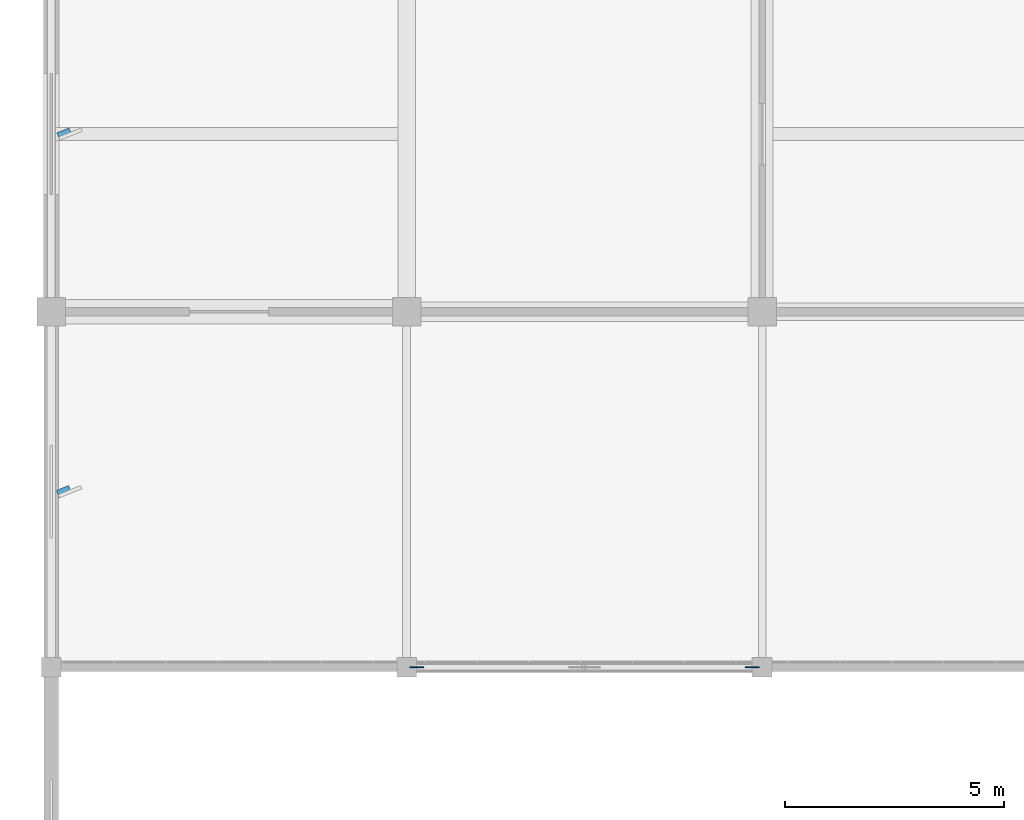
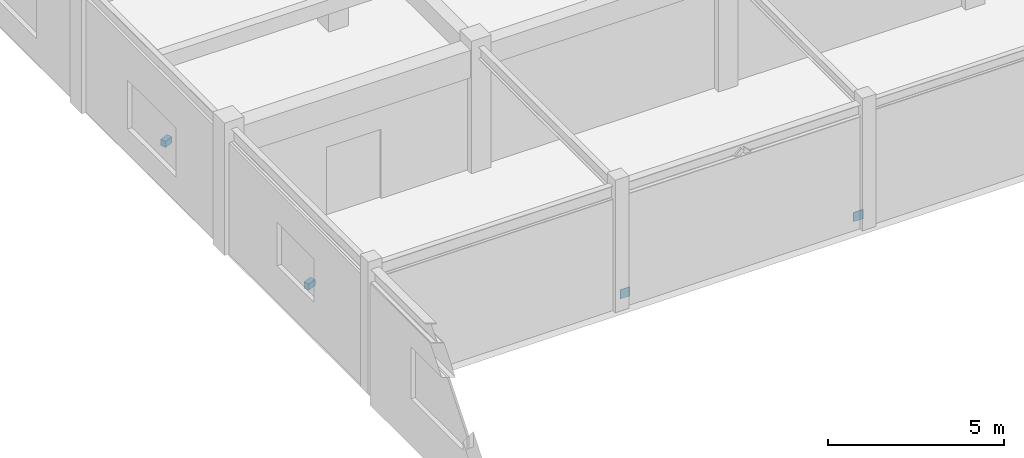
# One storey, part 81 of 93: 4 discrete accessories.
"""IFC4 building model written with IfcOpenShell, lengths in metres."""

import ifcopenshell
import ifcopenshell.guid

model = None  # the IFC model being written
_history = None  # IfcOwnerHistory: only IFC2X3 demands one
_inside = {}  # id of a spatial element -> (the spatial element, [elements in it])
_under = {}  # id of a project, library or spatial element -> (it, [spatial elements below it])
_declared = {}  # id of a project -> (the project, [libraries it declares])
_typed = {}  # id of a type object -> (the type object, [elements of that type])
_made_of = {}  # id of a material, layer set ... -> (it, [elements and type objects made of it])


def new_model(schema):
    """Start an empty IFC model of exactly this schema.

    Asked for "IFC4X3", IfcOpenShell would pick the latest addendum, in which some entities
    have other attributes; the version numbers below select the first issue.
    IFC2X3 requires an IfcOwnerHistory on every rooted entity: one is made here for all.
    """
    global model, _history
    if schema == "IFC4X3":
        model = ifcopenshell.file(schema_version=(4, 3, 0, 0))
    else:
        model = ifcopenshell.file(schema=schema)
    _inside.clear()
    _under.clear()
    _declared.clear()
    _typed.clear()
    _made_of.clear()
    _history = None
    if model.schema == "IFC2X3":
        org = make("IfcOrganization", Name="unknown")
        user = make(
            "IfcPersonAndOrganization",
            ThePerson=make("IfcPerson", FamilyName="unknown"),
            TheOrganization=org,
        )
        app = make(
            "IfcApplication",
            ApplicationDeveloper=org,
            Version="unknown",
            ApplicationFullName="unknown",
            ApplicationIdentifier="unknown",
        )
        _history = make(
            "IfcOwnerHistory",
            OwningUser=user,
            OwningApplication=app,
            ChangeAction="ADDED",
            CreationDate=0,
        )
    return model


def make(cls, **values):
    """One entity of the class cls with the attributes given. An attribute that is None is left unset."""
    return model.create_entity(
        cls, **{name: value for name, value in values.items() if value is not None}
    )


def rooted(cls, **values):
    """An entity with a GlobalId (a new one), such as an element, a storey or a relation."""
    return make(cls, GlobalId=ifcopenshell.guid.new(), OwnerHistory=_history, **values)


def si_unit(unit_type, name, prefix=None):
    """IfcSIUnit, for example si_unit("LENGTHUNIT", "METRE", prefix="MILLI")."""
    return make("IfcSIUnit", UnitType=unit_type, Prefix=prefix, Name=name)


def assignment(units):
    """IfcUnitAssignment: the units of a project."""
    return None if units is None else make("IfcUnitAssignment", Units=units)


def point(xyz):
    """IfcCartesianPoint."""
    return None if xyz is None else make("IfcCartesianPoint", Coordinates=xyz)


def direction(xyz):
    """IfcDirection."""
    return None if xyz is None else make("IfcDirection", DirectionRatios=xyz)


def frame(location, z_axis=None, x_axis=None):
    """IfcAxis2Placement3D, a coordinate frame: its origin and axes. An axis left out is left unset."""
    return make(
        "IfcAxis2Placement3D",
        Location=point(location),
        Axis=direction(z_axis),
        RefDirection=direction(x_axis),
    )


def frame_2d(location, x_axis=None):
    """IfcAxis2Placement2D, a coordinate frame in the plane: its origin and x axis."""
    return make(
        "IfcAxis2Placement2D", Location=point(location), RefDirection=direction(x_axis)
    )


def origin():
    """The frame at (0, 0, 0) with its axes left unset."""
    return frame((0.0, 0.0, 0.0))


def origin_2d():
    """The frame at (0, 0) in the plane with its x axis left unset."""
    return frame_2d((0.0, 0.0))


def place(relative_to, where):
    """IfcLocalPlacement: puts the frame where relative to a parent placement (None: the world)."""
    return make(
        "IfcLocalPlacement", PlacementRelTo=relative_to, RelativePlacement=where
    )


def context(
    kind, dimensions, precision=None, world=None, true_north=None, identifier=None
):
    """IfcGeometricRepresentationContext, for example the 3D "Model" context."""
    return make(
        "IfcGeometricRepresentationContext",
        ContextIdentifier=identifier,
        ContextType=kind,
        CoordinateSpaceDimension=dimensions,
        Precision=precision,
        WorldCoordinateSystem=world,
        TrueNorth=true_north,
    )


def subcontext(parent, identifier, kind, view, scale=None):
    """IfcGeometricRepresentationSubContext, for example "Body" below "Model"."""
    return make(
        "IfcGeometricRepresentationSubContext",
        ContextIdentifier=identifier,
        ContextType=kind,
        ParentContext=parent,
        TargetScale=scale,
        TargetView=view,
    )


def project(units=None, contexts=None):
    """IfcProject with its units and contexts."""
    return rooted(
        "IfcProject",
        Name="project",
        RepresentationContexts=contexts,
        UnitsInContext=assignment(units),
    )


def spatial(cls, under=None, at=None, **own):
    """A site, building, storey or space (cls), placed at a placement, below another one or the project."""
    s = rooted(cls, ObjectPlacement=at, **own)
    if under is not None:
        _under.setdefault(under.id(), (under, []))[1].append(s)
    return s


def profile(cls, at=None, kind="AREA", **sizes):
    """A parametric profile (cls). Its sizes go by their IFC names, for example OverallWidth=200.0."""
    return make(cls, ProfileType=kind, Position=at, **sizes)


def rectangle(**sizes):
    """IfcRectangleProfileDef."""
    return profile("IfcRectangleProfileDef", **sizes)


def extrude(swept, where, along, depth):
    """IfcExtrudedAreaSolid: the profile swept, set in the frame where, extruded along a direction by depth."""
    return make(
        "IfcExtrudedAreaSolid",
        SweptArea=swept,
        Position=where,
        ExtrudedDirection=direction(along),
        Depth=depth,
    )


def shape(context_of_items, identifier, shape_type, items):
    """IfcShapeRepresentation: the items that make up one representation, for example the "Body"."""
    return make(
        "IfcShapeRepresentation",
        ContextOfItems=context_of_items,
        RepresentationIdentifier=identifier,
        RepresentationType=shape_type,
        Items=items,
    )


def material(Name=None, Category=None):
    """IfcMaterial."""
    return make("IfcMaterial", Name=Name, Category=Category)


def made_of(thing, what):
    """Note that an element or type object is made of a material, layer set ...; save() writes the relation."""
    if what is not None:
        _made_of.setdefault(what.id(), (what, []))[1].append(thing)
    return thing


def type_object(cls, material=None, **own):
    """A type object (cls), such as IfcWallType, which elements share."""
    return made_of(rooted(cls, **own), material)


def element(
    cls,
    number,
    at=None,
    inside=None,
    cuts=None,
    type_object=None,
    material=None,
    context=None,
    identifier="Body",
    shape_type=None,
    held_by="IfcProductDefinitionShape",
    body=None,
    shapes=None,
    **own,
):
    """One element of the class cls, such as IfcWall. Its Tag is "e" and its number.

    at: its placement. inside: the storey or other place that contains it. cuts: it is an
    opening in that element (IfcRelVoidsElement). A single representation is given by context,
    identifier, shape_type and body (its items); several are given by shapes. held_by: the class
    of the entity that holds the representations. save() writes the other relations.
    """
    e = rooted(cls, Tag="e%d" % number, ObjectPlacement=at, **own)
    if body is not None:
        shapes = [shape(context, identifier, shape_type, body)]
    if shapes is not None:
        e.Representation = make(held_by, Representations=shapes)
    if inside is not None:
        _inside.setdefault(inside.id(), (inside, []))[1].append(e)
    if cuts is not None:
        rooted(
            "IfcRelVoidsElement", RelatingBuildingElement=cuts, RelatedOpeningElement=e
        )
    if type_object is not None:
        _typed.setdefault(type_object.id(), (type_object, []))[1].append(e)
    return made_of(e, material)


def aggregate(whole, parts):
    """IfcRelAggregates: a whole, such as a stair, and the parts it consists of."""
    return rooted("IfcRelAggregates", RelatingObject=whole, RelatedObjects=parts)


def save(model, path):
    """Write the relations noted so far, then the file.

    IfcRelAggregates (storeys below a building ...), IfcRelContainedInSpatialStructure (elements
    in a storey), IfcRelDefinesByType, IfcRelAssociatesMaterial and IfcRelDeclares: one each for
    every whole, place, type object, material and project.
    """
    for whole, parts in _under.values():
        aggregate(whole, parts)
    for where, things in _inside.values():
        rooted(
            "IfcRelContainedInSpatialStructure",
            RelatedElements=things,
            RelatingStructure=where,
        )
    for kind, things in _typed.values():
        rooted("IfcRelDefinesByType", RelatedObjects=things, RelatingType=kind)
    for what, things in _made_of.values():
        rooted("IfcRelAssociatesMaterial", RelatedObjects=things, RelatingMaterial=what)
    for by, libraries in _declared.values():
        rooted("IfcRelDeclares", RelatingContext=by, RelatedDefinitions=libraries)
    model.write(path)


model = new_model("IFC4")

# Units and contexts
model_context = context("Model", 3, precision=1e-05, world=origin(), true_north=direction((0.0, 1.0)))
body_context = subcontext(model_context, "Body", "Model", "MODEL_VIEW")
ifc_project = project(units=[si_unit("LENGTHUNIT", "METRE"), si_unit("AREAUNIT", "SQUARE_METRE"), si_unit("VOLUMEUNIT", "CUBIC_METRE"), si_unit("PLANEANGLEUNIT", "RADIAN"), si_unit("MASSUNIT", "GRAM", prefix="KILO")], contexts=[model_context])

# Site, building, storey
site_placement = place(None, origin())
site = spatial("IfcSite", under=ifc_project, at=site_placement, CompositionType="ELEMENT")
building_placement = place(site_placement, origin())
building = spatial("IfcBuilding", under=site, at=building_placement, Name="Vaudrelin Polytechnic", CompositionType="ELEMENT")
storey_placement = place(building_placement, frame((0.0, 0.0, 5.10009765625)))
storey = spatial("IfcBuildingStorey", under=building, at=storey_placement, Name="L01", CompositionType="ELEMENT", Elevation=5.10009765625)

# Discrete accessories
ifc_material_1 = material(Name="Steel CSA G40.21 350WT", Category="steel")
discrete_accessory_type_1 = type_object("IfcDiscreteAccessoryType", Name="ACC-CPL-01", PredefinedType="BRACKET", material=ifc_material_1)
for number, where, z_axis, x_axis, name in (
    (1, (8.324951171875, 89.10009765625, 0.23974609375), (0.0, 0.0, 1.0), (1.0, 0.0, 0.0), "Brace end connection plate CPL-007"),
    (2, (15.97509765625, 89.10009765625, 0.23974609375), (0.0, 0.0, 1.0), (1.0, 0.0, 0.0), "Brace end connection plate CPL-008"),
):
    element("IfcDiscreteAccessory", number, at=place(storey_placement, frame(where, z_axis=z_axis, x_axis=x_axis)), inside=storey, type_object=discrete_accessory_type_1, Name=name, PredefinedType="BRACKET", context=body_context, shape_type="SweptSolid", body=[
        extrude(rectangle(XDim=0.320068359375, YDim=0.02392578125, at=origin_2d()), origin(), (0.0, 0.0, 1.0), 0.320068359375),
    ])
ifc_material_2 = material(Name="Galvanised steel CSA G40.21 350W", Category="steel")
discrete_accessory_type_2 = type_object("IfcDiscreteAccessoryType", Name="ENV-BRK-01", PredefinedType="BRACKET", material=ifc_material_2)
for number, where, z_axis, x_axis, name in (
    (3, (0.2900390625, 93.10009765625, 0.98974609375), (0.0, 0.0, 1.0), (0.927183854567, 0.374606593416, 0.0), "Solar fin support bracket BRK-017"),
    (4, (0.300048828125, 101.25, 0.98974609375), (0.0, 0.0, 1.0), (0.927183854567, 0.374606593416, 0.0), "Solar fin support bracket BRK-018"),
):
    element("IfcDiscreteAccessory", number, at=place(storey_placement, frame(where, z_axis=z_axis, x_axis=x_axis)), inside=storey, type_object=discrete_accessory_type_2, Name=name, PredefinedType="BRACKET", context=body_context, shape_type="SweptSolid", body=[
        extrude(rectangle(XDim=0.300048828125, YDim=0.179931640625, at=origin_2d()), origin(), (0.0, 0.0, 1.0), 0.219970703125),
    ])

save(model, "model.ifc")
